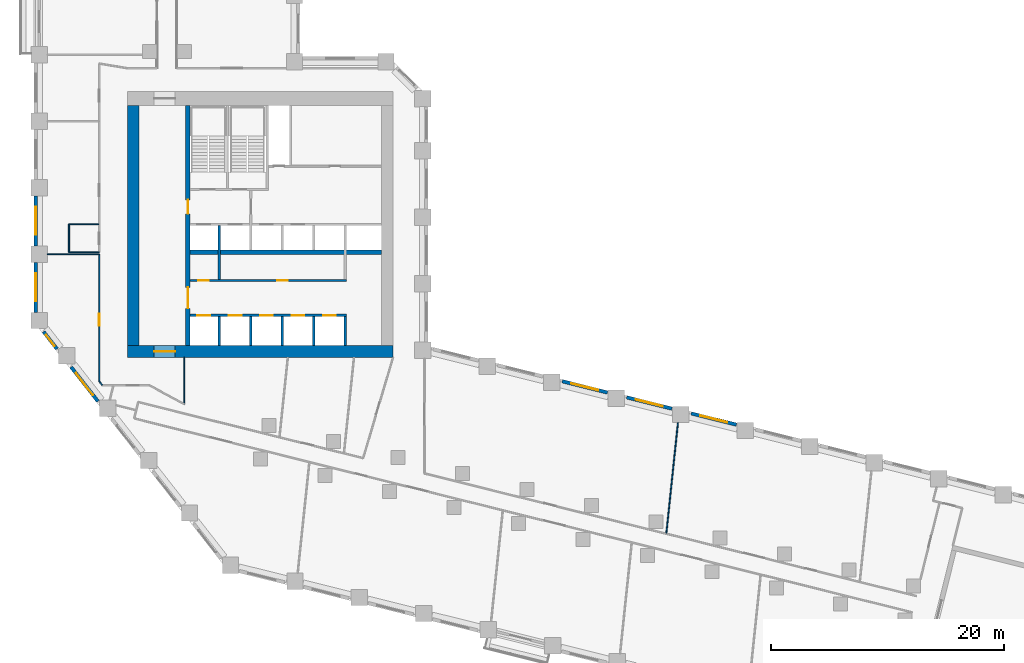
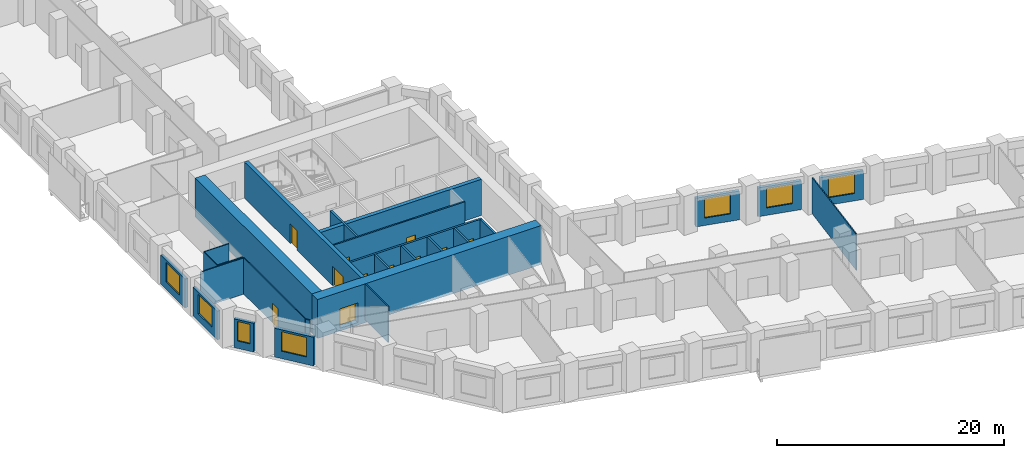
# One storey, part 4 of 11: 27 walls, 11 doors, 7 windows, 18 openings.
"""IFC4 building model written with IfcOpenShell, lengths in metres."""

from ifc_helpers import new_model, si_unit, direction, frame, frame_2d, origin, place, context, subcontext, project, spatial, rectangle, extrude, material, layer, layer_set, type_object, element, fill, save


model = new_model("IFC4")

# Units and contexts
model_context = context("Model", 3, precision=1e-05, world=origin(), true_north=direction((0.0, 1.0)))
body_context = subcontext(model_context, "Body", "Model", "MODEL_VIEW")
ifc_project = project(units=[si_unit("LENGTHUNIT", "METRE"), si_unit("AREAUNIT", "SQUARE_METRE"), si_unit("VOLUMEUNIT", "CUBIC_METRE"), si_unit("PLANEANGLEUNIT", "RADIAN"), si_unit("MASSUNIT", "GRAM", prefix="KILO")], contexts=[model_context])

# Site, building, storey
site_placement = place(None, origin())
site = spatial("IfcSite", under=ifc_project, at=site_placement, CompositionType="ELEMENT")
building_placement = place(site_placement, origin())
building = spatial("IfcBuilding", under=site, at=building_placement, Name="Meshkara Civic Tower", CompositionType="ELEMENT")
storey_placement = place(building_placement, frame((0.0, 0.0, 54.0)))
storey = spatial("IfcBuildingStorey", under=building, at=storey_placement, Name="L11", CompositionType="ELEMENT", Elevation=54.0)

# Wall, openings, doors
ifc_material_1 = material(Name="Blockwork", Category="masonry")
ifc_layer_1 = layer(ifc_material_1, 0.14990234375)
ifc_layer_set_1 = layer_set([ifc_layer_1], Name="Core partition 150")
wall_type_1 = type_object("IfcWallType", Name="Core partition 150", PredefinedType="PARTITIONING", material=ifc_layer_set_1)
wall_1_placement = place(storey_placement, frame((13.39990234375, 20.699951171875, 0.0), z_axis=(0.0, 0.0, 1.0), x_axis=(1.0, 0.0, 0.0)))
wall_1 = element("IfcWall", 1, at=wall_1_placement, inside=storey, type_object=wall_type_1, Name="L11-C006", PredefinedType="PARTITIONING", context=body_context, shape_type="SweptSolid", body=[
    extrude(rectangle(XDim=13.400146484375, YDim=0.14990234375, at=frame_2d((6.7001953125, 0.0))), origin(), (0.0, 0.0, 1.0), 3.89990234375),
])
opening_1_placement = place(wall_1_placement, frame((0.699951171875, 0.0, 0.0)))
opening_1 = element("IfcOpeningElement", 2, at=opening_1_placement, cuts=wall_1, Name="Opening L11-K010", PredefinedType="OPENING", context=body_context, shape_type="SweptSolid", body=[
    extrude(rectangle(XDim=0.89990234375, YDim=2.10009765625, at=frame_2d((0.449951171875, 1.050048828125))), frame((0.0, 0.0849609375, 0.0), z_axis=(0.0, -1.0, 0.0), x_axis=(1.0, 0.0, 0.0)), (0.0, 0.0, 1.0), 0.169921875),
])
opening_2_placement = place(wall_1_placement, frame((7.449951171875, 0.0, 0.0)))
opening_2 = element("IfcOpeningElement", 3, at=opening_2_placement, cuts=wall_1, Name="Opening L11-K011", PredefinedType="OPENING", context=body_context, shape_type="SweptSolid", body=[
    extrude(rectangle(XDim=0.89990234375, YDim=2.10009765625, at=frame_2d((0.449951171875, 1.050048828125))), frame((0.0, 0.0849609375, 0.0), z_axis=(0.0, -1.0, 0.0), x_axis=(1.0, 0.0, 0.0)), (0.0, 0.0, 1.0), 0.169921875),
])
ifc_material_2 = material(Name="Timber door leaf in steel frame", Category="steel")
door_type_1 = type_object("IfcDoorType", Name="Core room door 900", OperationType="SINGLE_SWING_LEFT", PredefinedType="DOOR", material=ifc_material_2)
door_1_placement = place(opening_1_placement, origin())
door_1 = element("IfcDoor", 4, at=door_1_placement, inside=storey, type_object=door_type_1, Name="L11-K010", OperationType="SINGLE_SWING_RIGHT", OverallHeight=2.10009765625, OverallWidth=0.89990234375, PredefinedType="DOOR", context=body_context, shape_type="SweptSolid", body=[
    extrude(rectangle(XDim=0.89990234375, YDim=2.10009765625, at=frame_2d((0.449951171875, 1.050048828125))), frame((0.0, 0.02490234375, 0.0), z_axis=(0.0, -1.0, 0.0), x_axis=(1.0, 0.0, 0.0)), (0.0, 0.0, 1.0), 0.050048828125),
])
fill(opening_1, door_1)
door_2_placement = place(opening_2_placement, origin())
door_2 = element("IfcDoor", 5, at=door_2_placement, inside=storey, type_object=door_type_1, Name="L11-K011", OperationType="SINGLE_SWING_LEFT", OverallHeight=2.10009765625, OverallWidth=0.89990234375, PredefinedType="DOOR", context=body_context, shape_type="SweptSolid", body=[
    extrude(rectangle(XDim=0.89990234375, YDim=2.10009765625, at=frame_2d((0.449951171875, 1.050048828125))), frame((0.0, 0.02490234375, 0.0), z_axis=(0.0, -1.0, 0.0), x_axis=(1.0, 0.0, 0.0)), (0.0, 0.0, 1.0), 0.050048828125),
])
fill(opening_2, door_2)

# Wall, opening, door
ifc_material_3 = material(Name="Concrete C80", Category="concrete")
ifc_layer_2 = layer(ifc_material_3, 1.0)
ifc_layer_set_2 = layer_set([ifc_layer_2], Name="Core ring wall 1000 C80")
wall_type_2 = type_object("IfcWallType", Name="Core ring wall 1000 C80", PredefinedType="SHEAR", material=ifc_layer_set_2)
wall_2_placement = place(storey_placement, frame((8.0, 14.60009765625, -0.300048828125), z_axis=(0.0, 0.0, 1.0), x_axis=(1.0, 0.0, 0.0)))
wall_2 = element("IfcWall", 6, at=wall_2_placement, inside=storey, type_object=wall_type_2, Name="L11-C001", PredefinedType="SHEAR", context=body_context, shape_type="SweptSolid", body=[
    extrude(rectangle(XDim=22.800048828125, YDim=1.0, at=frame_2d((11.39990234375, 0.0))), origin(), (0.0, 0.0, 1.0), 4.199951171875),
])
opening_3_placement = place(wall_2_placement, frame((2.300048828125, 0.0, 0.300048828125)))
opening_3 = element("IfcOpeningElement", 7, at=opening_3_placement, cuts=wall_2, Name="Opening L11-K020", PredefinedType="OPENING", context=body_context, shape_type="SweptSolid", body=[
    extrude(rectangle(XDim=1.800048828125, YDim=2.10009765625, at=frame_2d((0.89990234375, 1.050048828125))), frame((0.0, 0.510009765625, 0.0), z_axis=(0.0, -1.0, 0.0), x_axis=(1.0, 0.0, 0.0)), (0.0, 0.0, 1.0), 1.02001953125),
])
ifc_material_4 = material(Name="Fire-rated door leaf in steel frame", Category="steel")
door_type_2 = type_object("IfcDoorType", Name="Core double door 1800 EI 60", OperationType="DOUBLE_DOOR_SINGLE_SWING", PredefinedType="DOOR", material=ifc_material_4)
door_3_placement = place(opening_3_placement, origin())
door_3 = element("IfcDoor", 8, at=door_3_placement, inside=storey, type_object=door_type_2, Name="L11-K020", OperationType="DOUBLE_DOOR_SINGLE_SWING", OverallHeight=2.10009765625, OverallWidth=1.800048828125, PredefinedType="DOOR", context=body_context, shape_type="SweptSolid", body=[
    extrude(rectangle(XDim=1.800048828125, YDim=2.10009765625, at=frame_2d((0.89990234375, 1.050048828125))), frame((0.0, 0.02490234375, 0.0), z_axis=(0.0, -1.0, 0.0), x_axis=(1.0, 0.0, 0.0)), (0.0, 0.0, 1.0), 0.050048828125),
])
fill(opening_3, door_3)

# Walls
wall_3_placement = place(storey_placement, frame((8.5, 15.10009765625, -0.300048828125), z_axis=(0.0, 0.0, 1.0), x_axis=(0.0, 1.0, 0.0)))
element("IfcWall", 9, at=wall_3_placement, inside=storey, type_object=wall_type_2, Name="L11-C003", PredefinedType="SHEAR", context=body_context, shape_type="SweptSolid", body=[
    extrude(rectangle(XDim=20.599853515625, YDim=1.0, at=frame_2d((10.2998046875, 0.0))), origin(), (0.0, 0.0, 1.0), 4.199951171875),
])
ifc_material_5 = material(Name="Concrete C80", Category="concrete")
ifc_layer_3 = layer(ifc_material_5, 0.39990234375)
ifc_layer_set_3 = layer_set([ifc_layer_3], Name="Core shear wall 400 C80")
wall_type_3 = type_object("IfcWallType", Name="Core shear wall 400 C80", PredefinedType="SHEAR", material=ifc_layer_set_3)
wall_4_placement = place(storey_placement, frame((13.39990234375, 23.10009765625, 0.0), z_axis=(0.0, 0.0, 1.0), x_axis=(1.0, 0.0, 0.0)))
element("IfcWall", 10, at=wall_4_placement, inside=storey, type_object=wall_type_3, Name="L11-C007", PredefinedType="SHEAR", context=body_context, shape_type="SweptSolid", body=[
    extrude(rectangle(XDim=16.400146484375, YDim=0.39990234375, at=frame_2d((8.2001953125, 0.0))), origin(), (0.0, 0.0, 1.0), 3.89990234375),
])

# Wall, openings, doors
wall_5_placement = place(storey_placement, frame((13.199951171875, 15.10009765625, 0.0), z_axis=(0.0, 0.0, 1.0), x_axis=(0.0, 1.0, 0.0)))
wall_5 = element("IfcWall", 11, at=wall_5_placement, inside=storey, type_object=wall_type_3, Name="L11-C011", PredefinedType="SHEAR", context=body_context, shape_type="SweptSolid", body=[
    extrude(rectangle(XDim=20.599853515625, YDim=0.39990234375, at=frame_2d((10.2998046875, 0.0))), origin(), (0.0, 0.0, 1.0), 3.89990234375),
])
opening_4_placement = place(wall_5_placement, frame((3.199951171875, 0.0, 0.0)))
opening_4 = element("IfcOpeningElement", 12, at=opening_4_placement, cuts=wall_5, Name="Opening L11-K016", PredefinedType="OPENING", context=body_context, shape_type="SweptSolid", body=[
    extrude(rectangle(XDim=1.800048828125, YDim=2.10009765625, at=frame_2d((0.89990234375, 1.050048828125))), frame((0.0, 0.2099609375, 0.0), z_axis=(0.0, -1.0, 0.0), x_axis=(1.0, 0.0, 0.0)), (0.0, 0.0, 1.0), 0.419921875),
])
opening_5_placement = place(wall_5_placement, frame((11.300048828125, 0.0, 0.0)))
opening_5 = element("IfcOpeningElement", 13, at=opening_5_placement, cuts=wall_5, Name="Opening L11-K017", PredefinedType="OPENING", context=body_context, shape_type="SweptSolid", body=[
    extrude(rectangle(XDim=1.199951171875, YDim=2.10009765625, at=frame_2d((0.60009765625, 1.050048828125))), frame((0.0, 0.2099609375, 0.0), z_axis=(0.0, -1.0, 0.0), x_axis=(1.0, 0.0, 0.0)), (0.0, 0.0, 1.0), 0.419921875),
])
door_4_placement = place(opening_4_placement, origin())
door_4 = element("IfcDoor", 14, at=door_4_placement, inside=storey, type_object=door_type_2, Name="L11-K016", OperationType="DOUBLE_DOOR_SINGLE_SWING", OverallHeight=2.10009765625, OverallWidth=1.800048828125, PredefinedType="DOOR", context=body_context, shape_type="SweptSolid", body=[
    extrude(rectangle(XDim=1.800048828125, YDim=2.10009765625, at=frame_2d((0.89990234375, 1.050048828125))), frame((0.0, 0.02490234375, 0.0), z_axis=(0.0, -1.0, 0.0), x_axis=(1.0, 0.0, 0.0)), (0.0, 0.0, 1.0), 0.050048828125),
])
fill(opening_4, door_4)
ifc_material_6 = material(Name="Fire-rated door leaf in steel frame", Category="steel")
door_type_3 = type_object("IfcDoorType", Name="Fire-fighting lobby door 1200 EI 120", OperationType="SINGLE_SWING_LEFT", PredefinedType="DOOR", material=ifc_material_6)
door_5_placement = place(opening_5_placement, origin())
door_5 = element("IfcDoor", 15, at=door_5_placement, inside=storey, type_object=door_type_3, Name="L11-K017", OperationType="SINGLE_SWING_LEFT", OverallHeight=2.10009765625, OverallWidth=1.199951171875, PredefinedType="DOOR", context=body_context, shape_type="SweptSolid", body=[
    extrude(rectangle(XDim=1.199951171875, YDim=2.10009765625, at=frame_2d((0.60009765625, 1.050048828125))), frame((0.0, 0.02490234375, 0.0), z_axis=(0.0, -1.0, 0.0), x_axis=(1.0, 0.0, 0.0)), (0.0, 0.0, 1.0), 0.050048828125),
])
fill(opening_5, door_5)

# Wall
ifc_material_7 = material(Name="Corridor wall 100")
ifc_layer_4 = layer(ifc_material_7, 0.10009765625)
ifc_layer_set_4 = layer_set([ifc_layer_4], Name="Corridor wall 100")
wall_type_4 = type_object("IfcWallType", Name="Corridor wall 100", PredefinedType="PARTITIONING", material=ifc_layer_set_4)
wall_6_placement = place(storey_placement, frame((5.60009765625, 12.04296875, 0.0), z_axis=(0.0, 0.0, 1.0), x_axis=(0.615415398102, -0.788202948344, 0.0)))
element("IfcWall", 16, at=wall_6_placement, inside=storey, type_object=wall_type_4, Name="L11-W003", PredefinedType="PARTITIONING", context=body_context, shape_type="SweptSolid", body=[
    extrude(rectangle(XDim=0.435302734375, YDim=0.10009765625, at=frame_2d((0.2177734375, 0.0))), origin(), (0.0, 0.0, 1.0), 3.89990234375),
])

# Wall, opening, door
wall_7_placement = place(storey_placement, frame((5.60009765625, 22.955078125, 0.0), z_axis=(0.0, 0.0, 1.0), x_axis=(0.0, -1.0, 0.0)))
wall_7 = element("IfcWall", 17, at=wall_7_placement, inside=storey, type_object=wall_type_4, Name="L11-W004", PredefinedType="PARTITIONING", context=body_context, shape_type="SweptSolid", body=[
    extrude(rectangle(XDim=10.912109375, YDim=0.10009765625, at=frame_2d((5.4560546875, 0.0))), origin(), (0.0, 0.0, 1.0), 3.89990234375),
])
opening_6_placement = place(wall_7_placement, frame((5.132080078125, 0.0, 0.0)))
opening_6 = element("IfcOpeningElement", 18, at=opening_6_placement, cuts=wall_7, Name="Opening L11-D017", PredefinedType="OPENING", context=body_context, shape_type="SweptSolid", body=[
    extrude(rectangle(XDim=1.0, YDim=2.10009765625, at=frame_2d((0.5, 1.050048828125))), frame((0.0, 0.06005859375, 0.0), z_axis=(0.0, -1.0, 0.0), x_axis=(1.0, 0.0, 0.0)), (0.0, 0.0, 1.0), 0.1201171875),
])
ifc_material_8 = material(Name="Door 1000 x 2100")
door_type_4 = type_object("IfcDoorType", Name="Door 1000 x 2100", OperationType="SINGLE_SWING_LEFT", PredefinedType="DOOR", material=ifc_material_8)
door_6_placement = place(opening_6_placement, origin())
door_6 = element("IfcDoor", 19, at=door_6_placement, inside=storey, type_object=door_type_4, Name="L11-D017", OperationType="SINGLE_SWING_LEFT", OverallHeight=2.10009765625, OverallWidth=1.0, PredefinedType="DOOR", context=body_context, shape_type="SweptSolid", body=[
    extrude(rectangle(XDim=1.0, YDim=2.10009765625, at=frame_2d((0.5, 1.050048828125))), frame((0.0, 0.02490234375, 0.0), z_axis=(0.0, -1.0, 0.0), x_axis=(1.0, 0.0, 0.0)), (0.0, 0.0, 1.0), 0.050048828125),
])
fill(opening_6, door_6)

# Wall
wall_8_placement = place(storey_placement, frame((12.89990234375, 10.077880859375, 0.0), z_axis=(0.0, 0.0, 1.0), x_axis=(0.0, 1.0, 0.0)))
element("IfcWall", 20, at=wall_8_placement, inside=storey, type_object=wall_type_4, Name="L11-W016", PredefinedType="PARTITIONING", context=body_context, shape_type="SweptSolid", body=[
    extrude(rectangle(XDim=4.022216796875, YDim=0.10009765625, at=frame_2d((2.01123046875, 0.0))), origin(), (0.0, 0.0, 1.0), 3.89990234375),
])

# Wall, opening, window
ifc_material_9 = material(Name="Insulated infill panel with bronze anodised aluminium cladding", Category="aluminium")
ifc_layer_5 = layer(ifc_material_9, 0.300048828125)
ifc_layer_set_5 = layer_set([ifc_layer_5], Name="EXTERNAL INFILL WALL 300")
wall_type_5 = type_object("IfcWallType", Name="EXTERNAL INFILL WALL 300", PredefinedType="SOLIDWALL", material=ifc_layer_set_5)
wall_9_placement = place(storey_placement, frame((60.251953125, 8.321044921875, 0.0), z_axis=(0.0, 0.0, 1.0), x_axis=(-0.970303772127, 0.241889623168, 0.0)))
wall_9 = element("IfcWall", 21, at=wall_9_placement, inside=storey, type_object=wall_type_5, Name="External wall", PredefinedType="SOLIDWALL", context=body_context, shape_type="SweptSolid", body=[
    extrude(rectangle(XDim=4.001953125, YDim=0.300048828125, at=frame_2d((2.0009765625, 0.0))), origin(), (0.0, 0.0, 1.0), 3.10009765625),
])
opening_7_placement = place(wall_9_placement, frame((0.801025390625, 0.0, 0.800048828125)))
opening_7 = element("IfcOpeningElement", 22, at=opening_7_placement, cuts=wall_9, Name="Opening W7", PredefinedType="OPENING", context=body_context, shape_type="SweptSolid", body=[
    extrude(rectangle(XDim=2.39990234375, YDim=2.10009765625, at=frame_2d((1.199951171875, 1.050048828125))), frame((0.0, 0.159912109375, 0.0), z_axis=(0.0, -1.0, 0.0), x_axis=(1.0, 0.0, 0.0)), (0.0, 0.0, 1.0), 0.320068359375),
])
ifc_material_10 = material(Name="Tinted double glazing", Category="glass")
window_type_1 = type_object("IfcWindowType", Name="WINDOW 2400x2100", PartitioningType="DOUBLE_PANEL_VERTICAL", PredefinedType="WINDOW", material=ifc_material_10)
window_1_placement = place(opening_7_placement, origin())
window_1 = element("IfcWindow", 23, at=window_1_placement, inside=storey, type_object=window_type_1, Name="Window", OverallHeight=2.10009765625, OverallWidth=2.39990234375, PartitioningType="DOUBLE_PANEL_VERTICAL", PredefinedType="WINDOW", context=body_context, shape_type="SweptSolid", body=[
    extrude(rectangle(XDim=2.39990234375, YDim=2.10009765625, at=frame_2d((1.199951171875, 1.050048828125))), frame((0.0, 0.030029296875, 0.0), z_axis=(0.0, -1.0, 0.0), x_axis=(1.0, 0.0, 0.0)), (0.0, 0.0, 1.0), 0.06005859375),
])
fill(opening_7, window_1)

wall_10_placement = place(storey_placement, frame((54.721923828125, 9.699951171875, 0.0), z_axis=(0.0, 0.0, 1.0), x_axis=(-0.970318045095, 0.24183236211, 0.0)))
wall_10 = element("IfcWall", 24, at=wall_10_placement, inside=storey, type_object=wall_type_5, Name="External wall", PredefinedType="SOLIDWALL", context=body_context, shape_type="SweptSolid", body=[
    extrude(rectangle(XDim=4.0029296875, YDim=0.300048828125, at=frame_2d((2.00146484375, 0.0))), origin(), (0.0, 0.0, 1.0), 3.10009765625),
])
opening_8_placement = place(wall_10_placement, frame((0.802001953125, 0.0, 0.800048828125)))
opening_8 = element("IfcOpeningElement", 25, at=opening_8_placement, cuts=wall_10, Name="Opening W7", PredefinedType="OPENING", context=body_context, shape_type="SweptSolid", body=[
    extrude(rectangle(XDim=2.39990234375, YDim=2.10009765625, at=frame_2d((1.199951171875, 1.050048828125))), frame((0.0, 0.159912109375, 0.0), z_axis=(0.0, -1.0, 0.0), x_axis=(1.0, 0.0, 0.0)), (0.0, 0.0, 1.0), 0.320068359375),
])
window_2_placement = place(opening_8_placement, origin())
window_2 = element("IfcWindow", 26, at=window_2_placement, inside=storey, type_object=window_type_1, Name="Window", OverallHeight=2.10009765625, OverallWidth=2.39990234375, PartitioningType="DOUBLE_PANEL_VERTICAL", PredefinedType="WINDOW", context=body_context, shape_type="SweptSolid", body=[
    extrude(rectangle(XDim=2.39990234375, YDim=2.10009765625, at=frame_2d((1.199951171875, 1.050048828125))), frame((0.0, 0.030029296875, 0.0), z_axis=(0.0, -1.0, 0.0), x_axis=(1.0, 0.0, 0.0)), (0.0, 0.0, 1.0), 0.06005859375),
])
fill(opening_8, window_2)

wall_11_placement = place(storey_placement, frame((49.19091796875, 11.0791015625, 0.0), z_axis=(0.0, 0.0, 1.0), x_axis=(-0.970318045095, 0.24183236211, 0.0)))
wall_11 = element("IfcWall", 27, at=wall_11_placement, inside=storey, type_object=wall_type_5, Name="External wall", PredefinedType="SOLIDWALL", context=body_context, shape_type="SweptSolid", body=[
    extrude(rectangle(XDim=4.0029296875, YDim=0.300048828125, at=frame_2d((2.00146484375, 0.0))), origin(), (0.0, 0.0, 1.0), 3.10009765625),
])
opening_9_placement = place(wall_11_placement, frame((0.802001953125, 0.0, 0.800048828125)))
opening_9 = element("IfcOpeningElement", 28, at=opening_9_placement, cuts=wall_11, Name="Opening W7", PredefinedType="OPENING", context=body_context, shape_type="SweptSolid", body=[
    extrude(rectangle(XDim=2.39990234375, YDim=2.10009765625, at=frame_2d((1.199951171875, 1.050048828125))), frame((0.0, 0.159912109375, 0.0), z_axis=(0.0, -1.0, 0.0), x_axis=(1.0, 0.0, 0.0)), (0.0, 0.0, 1.0), 0.320068359375),
])
window_3_placement = place(opening_9_placement, origin())
window_3 = element("IfcWindow", 29, at=window_3_placement, inside=storey, type_object=window_type_1, Name="Window", OverallHeight=2.10009765625, OverallWidth=2.39990234375, PartitioningType="DOUBLE_PANEL_VERTICAL", PredefinedType="WINDOW", context=body_context, shape_type="SweptSolid", body=[
    extrude(rectangle(XDim=2.39990234375, YDim=2.10009765625, at=frame_2d((1.199951171875, 1.050048828125))), frame((0.0, 0.030029296875, 0.0), z_axis=(0.0, -1.0, 0.0), x_axis=(1.0, 0.0, 0.0)), (0.0, 0.0, 1.0), 0.06005859375),
])
fill(opening_9, window_3)

wall_12_placement = place(storey_placement, frame((0.14990234375, 27.955078125, 0.0), z_axis=(0.0, 0.0, 1.0), x_axis=(0.0, -1.0, 0.0)))
wall_12 = element("IfcWall", 30, at=wall_12_placement, inside=storey, type_object=wall_type_5, Name="External wall", PredefinedType="SOLIDWALL", context=body_context, shape_type="SweptSolid", body=[
    extrude(rectangle(XDim=4.300048828125, YDim=0.300048828125, at=frame_2d((2.14990234375, 0.0))), origin(), (0.0, 0.0, 1.0), 3.10009765625),
])
opening_10_placement = place(wall_12_placement, frame((0.949951171875, 0.0, 0.800048828125)))
opening_10 = element("IfcOpeningElement", 31, at=opening_10_placement, cuts=wall_12, Name="Opening W7", PredefinedType="OPENING", context=body_context, shape_type="SweptSolid", body=[
    extrude(rectangle(XDim=2.39990234375, YDim=2.10009765625, at=frame_2d((1.199951171875, 1.050048828125))), frame((0.0, 0.159912109375, 0.0), z_axis=(0.0, -1.0, 0.0), x_axis=(1.0, 0.0, 0.0)), (0.0, 0.0, 1.0), 0.320068359375),
])
window_4_placement = place(opening_10_placement, origin())
window_4 = element("IfcWindow", 32, at=window_4_placement, inside=storey, type_object=window_type_1, Name="Window", OverallHeight=2.10009765625, OverallWidth=2.39990234375, PartitioningType="DOUBLE_PANEL_VERTICAL", PredefinedType="WINDOW", context=body_context, shape_type="SweptSolid", body=[
    extrude(rectangle(XDim=2.39990234375, YDim=2.10009765625, at=frame_2d((1.199951171875, 1.050048828125))), frame((0.0, 0.030029296875, 0.0), z_axis=(0.0, -1.0, 0.0), x_axis=(1.0, 0.0, 0.0)), (0.0, 0.0, 1.0), 0.06005859375),
])
fill(opening_10, window_4)

wall_13_placement = place(storey_placement, frame((0.14990234375, 22.2548828125, 0.0), z_axis=(0.0, 0.0, 1.0), x_axis=(0.0, -1.0, 0.0)))
wall_13 = element("IfcWall", 33, at=wall_13_placement, inside=storey, type_object=wall_type_5, Name="External wall", PredefinedType="SOLIDWALL", context=body_context, shape_type="SweptSolid", body=[
    extrude(rectangle(XDim=4.2998046875, YDim=0.300048828125, at=frame_2d((2.14990234375, 0.0))), origin(), (0.0, 0.0, 1.0), 3.10009765625),
])
opening_11_placement = place(wall_13_placement, frame((0.949951171875, 0.0, 0.800048828125)))
opening_11 = element("IfcOpeningElement", 34, at=opening_11_placement, cuts=wall_13, Name="Opening W7", PredefinedType="OPENING", context=body_context, shape_type="SweptSolid", body=[
    extrude(rectangle(XDim=2.39990234375, YDim=2.10009765625, at=frame_2d((1.199951171875, 1.050048828125))), frame((0.0, 0.159912109375, 0.0), z_axis=(0.0, -1.0, 0.0), x_axis=(1.0, 0.0, 0.0)), (0.0, 0.0, 1.0), 0.320068359375),
])
window_5_placement = place(opening_11_placement, origin())
window_5 = element("IfcWindow", 35, at=window_5_placement, inside=storey, type_object=window_type_1, Name="Window", OverallHeight=2.10009765625, OverallWidth=2.39990234375, PartitioningType="DOUBLE_PANEL_VERTICAL", PredefinedType="WINDOW", context=body_context, shape_type="SweptSolid", body=[
    extrude(rectangle(XDim=2.39990234375, YDim=2.10009765625, at=frame_2d((1.199951171875, 1.050048828125))), frame((0.0, 0.030029296875, 0.0), z_axis=(0.0, -1.0, 0.0), x_axis=(1.0, 0.0, 0.0)), (0.0, 0.0, 1.0), 0.06005859375),
])
fill(opening_11, window_5)

wall_14_placement = place(storey_placement, frame((0.818115234375, 16.2958984375, 0.0), z_axis=(0.0, 0.0, 1.0), x_axis=(0.615985155343, -0.787757759973, 0.0)))
wall_14 = element("IfcWall", 36, at=wall_14_placement, inside=storey, type_object=wall_type_5, Name="External wall", PredefinedType="SOLIDWALL", context=body_context, shape_type="SweptSolid", body=[
    extrude(rectangle(XDim=1.874755859375, YDim=0.300048828125, at=frame_2d((0.9375, 0.0))), origin(), (0.0, 0.0, 1.0), 3.10009765625),
])
opening_12_placement = place(wall_14_placement, frame((0.3369140625, 0.0, 0.800048828125)))
opening_12 = element("IfcOpeningElement", 37, at=opening_12_placement, cuts=wall_14, Name="Opening W3", PredefinedType="OPENING", context=body_context, shape_type="SweptSolid", body=[
    extrude(rectangle(XDim=1.199951171875, YDim=2.10009765625, at=frame_2d((0.60009765625, 1.050048828125))), frame((0.0, 0.159912109375, 0.0), z_axis=(0.0, -1.0, 0.0), x_axis=(1.0, 0.0, 0.0)), (0.0, 0.0, 1.0), 0.320068359375),
])
ifc_material_11 = material(Name="Tinted double glazing", Category="glass")
window_type_2 = type_object("IfcWindowType", Name="WINDOW 1200x2100", PartitioningType="SINGLE_PANEL", PredefinedType="WINDOW", material=ifc_material_11)
window_6_placement = place(opening_12_placement, origin())
window_6 = element("IfcWindow", 38, at=window_6_placement, inside=storey, type_object=window_type_2, Name="Window", OverallHeight=2.10009765625, OverallWidth=1.199951171875, PartitioningType="SINGLE_PANEL", PredefinedType="WINDOW", context=body_context, shape_type="SweptSolid", body=[
    extrude(rectangle(XDim=1.199951171875, YDim=2.10009765625, at=frame_2d((0.60009765625, 1.050048828125))), frame((0.0, 0.030029296875, 0.0), z_axis=(0.0, -1.0, 0.0), x_axis=(1.0, 0.0, 0.0)), (0.0, 0.0, 1.0), 0.06005859375),
])
fill(opening_12, window_6)

wall_15_placement = place(storey_placement, frame((3.18310546875, 13.27001953125, 0.0), z_axis=(0.0, 0.0, 1.0), x_axis=(0.615564114897, -0.788086810225, 0.0)))
wall_15 = element("IfcWall", 39, at=wall_15_placement, inside=storey, type_object=wall_type_5, Name="External wall", PredefinedType="SOLIDWALL", context=body_context, shape_type="SweptSolid", body=[
    extrude(rectangle(XDim=3.734619140625, YDim=0.300048828125, at=frame_2d((1.8671875, 0.0))), origin(), (0.0, 0.0, 1.0), 3.10009765625),
])
opening_13_placement = place(wall_15_placement, frame((0.6669921875, 0.0, 0.800048828125)))
opening_13 = element("IfcOpeningElement", 40, at=opening_13_placement, cuts=wall_15, Name="Opening W7", PredefinedType="OPENING", context=body_context, shape_type="SweptSolid", body=[
    extrude(rectangle(XDim=2.39990234375, YDim=2.10009765625, at=frame_2d((1.199951171875, 1.050048828125))), frame((0.0, 0.159912109375, 0.0), z_axis=(0.0, -1.0, 0.0), x_axis=(1.0, 0.0, 0.0)), (0.0, 0.0, 1.0), 0.320068359375),
])
window_7_placement = place(opening_13_placement, origin())
window_7 = element("IfcWindow", 41, at=window_7_placement, inside=storey, type_object=window_type_1, Name="Window", OverallHeight=2.10009765625, OverallWidth=2.39990234375, PartitioningType="DOUBLE_PANEL_VERTICAL", PredefinedType="WINDOW", context=body_context, shape_type="SweptSolid", body=[
    extrude(rectangle(XDim=2.39990234375, YDim=2.10009765625, at=frame_2d((1.199951171875, 1.050048828125))), frame((0.0, 0.030029296875, 0.0), z_axis=(0.0, -1.0, 0.0), x_axis=(1.0, 0.0, 0.0)), (0.0, 0.0, 1.0), 0.06005859375),
])
fill(opening_13, window_7)

# Walls
ifc_material_12 = material(Name="Partition 100")
ifc_layer_6 = layer(ifc_material_12, 0.10009765625)
ifc_layer_set_6 = layer_set([ifc_layer_6], Name="Partition 100")
wall_type_6 = type_object("IfcWallType", Name="Partition 100", PredefinedType="PARTITIONING", material=ifc_layer_set_6)
wall_16_placement = place(storey_placement, frame((3.0, 23.10498046875, 0.0), z_axis=(0.0, 0.0, 1.0), x_axis=(0.0, 1.0, 0.0)))
element("IfcWall", 42, at=wall_16_placement, inside=storey, type_object=wall_type_6, Name="L11-W033", PredefinedType="PARTITIONING", context=body_context, shape_type="SweptSolid", body=[
    extrude(rectangle(XDim=2.39990234375, YDim=0.10009765625, at=frame_2d((1.199951171875, 0.0))), origin(), (0.0, 0.0, 1.0), 3.89990234375),
])
wall_17_placement = place(storey_placement, frame((3.0, 25.5048828125, 0.0), z_axis=(0.0, 0.0, 1.0), x_axis=(1.0, 0.0, 0.0)))
element("IfcWall", 43, at=wall_17_placement, inside=storey, type_object=wall_type_6, Name="L11-W034", PredefinedType="PARTITIONING", context=body_context, shape_type="SweptSolid", body=[
    extrude(rectangle(XDim=2.550048828125, YDim=0.10009765625, at=frame_2d((1.27490234375, 0.0))), origin(), (0.0, 0.0, 1.0), 3.89990234375),
])
wall_18_placement = place(storey_placement, frame((5.60009765625, 22.955078125, 0.0), z_axis=(0.0, 0.0, 1.0), x_axis=(-1.0, 0.0, 0.0)))
element("IfcWall", 44, at=wall_18_placement, inside=storey, type_object=wall_type_6, Name="L11-W036", PredefinedType="PARTITIONING", context=body_context, shape_type="SweptSolid", body=[
    extrude(rectangle(XDim=4.4501953125, YDim=0.10009765625, at=frame_2d((2.22509765625, 0.0))), origin(), (0.0, 0.0, 1.0), 3.89990234375),
])
wall_19_placement = place(storey_placement, frame((5.60009765625, 23.10498046875, 0.0), z_axis=(0.0, 0.0, 1.0), x_axis=(-1.0, 0.0, 0.0)))
element("IfcWall", 45, at=wall_19_placement, inside=storey, type_object=wall_type_6, Name="L11-W037", PredefinedType="PARTITIONING", context=body_context, shape_type="SweptSolid", body=[
    extrude(rectangle(XDim=2.60009765625, YDim=0.10009765625, at=frame_2d((1.300048828125, 0.0))), origin(), (0.0, 0.0, 1.0), 3.89990234375),
])
wall_20_placement = place(storey_placement, frame((54.242919921875, -0.971923828125, 0.0), z_axis=(0.0, 0.0, 1.0), x_axis=(0.104452670861, 0.994529858551, 0.0)))
element("IfcWall", 46, at=wall_20_placement, inside=storey, type_object=wall_type_6, Name="L11-W050", PredefinedType="PARTITIONING", context=body_context, shape_type="SweptSolid", body=[
    extrude(rectangle(XDim=9.52685546875, YDim=0.10009765625, at=frame_2d((4.763427734375, 0.0))), origin(), (0.0, 0.0, 1.0), 3.89990234375),
])

# Wall, openings, doors
ifc_material_13 = material(Name="Concrete C40/50", Category="concrete")
ifc_layer_7 = layer(ifc_material_13, 0.199951171875)
ifc_layer_set_7 = layer_set([ifc_layer_7], Name="Shaft wall 200 C40/50")
wall_type_7 = type_object("IfcWallType", Name="Shaft wall 200 C40/50", PredefinedType="SOLIDWALL", material=ifc_layer_set_7)
wall_21_placement = place(storey_placement, frame((13.39990234375, 17.699951171875, 0.0), z_axis=(0.0, 0.0, 1.0), x_axis=(1.0, 0.0, 0.0)))
wall_21 = element("IfcWall", 47, at=wall_21_placement, inside=storey, type_object=wall_type_7, Name="L11-C005", PredefinedType="SOLIDWALL", context=body_context, shape_type="SweptSolid", body=[
    extrude(rectangle(XDim=13.400146484375, YDim=0.199951171875, at=frame_2d((6.7001953125, 0.0))), origin(), (0.0, 0.0, 1.0), 3.89990234375),
])
opening_14_placement = place(wall_21_placement, frame((0.60009765625, 0.0, 0.0)))
opening_14 = element("IfcOpeningElement", 48, at=opening_14_placement, cuts=wall_21, Name="Opening L11-K001", PredefinedType="OPENING", context=body_context, shape_type="SweptSolid", body=[
    extrude(rectangle(XDim=1.10009765625, YDim=2.10009765625, at=frame_2d((0.550048828125, 1.050048828125))), frame((0.0, 0.10986328125, 0.0), z_axis=(0.0, -1.0, 0.0), x_axis=(1.0, 0.0, 0.0)), (0.0, 0.0, 1.0), 0.219970703125),
])
opening_15_placement = place(wall_21_placement, frame((3.300048828125, 0.0, 0.0)))
opening_15 = element("IfcOpeningElement", 49, at=opening_15_placement, cuts=wall_21, Name="Opening L11-K002", PredefinedType="OPENING", context=body_context, shape_type="SweptSolid", body=[
    extrude(rectangle(XDim=1.10009765625, YDim=2.10009765625, at=frame_2d((0.550048828125, 1.050048828125))), frame((0.0, 0.10986328125, 0.0), z_axis=(0.0, -1.0, 0.0), x_axis=(1.0, 0.0, 0.0)), (0.0, 0.0, 1.0), 0.219970703125),
])
opening_16_placement = place(wall_21_placement, frame((6.0, 0.0, 0.0)))
opening_16 = element("IfcOpeningElement", 50, at=opening_16_placement, cuts=wall_21, Name="Opening L11-K003", PredefinedType="OPENING", context=body_context, shape_type="SweptSolid", body=[
    extrude(rectangle(XDim=1.10009765625, YDim=2.10009765625, at=frame_2d((0.550048828125, 1.050048828125))), frame((0.0, 0.10986328125, 0.0), z_axis=(0.0, -1.0, 0.0), x_axis=(1.0, 0.0, 0.0)), (0.0, 0.0, 1.0), 0.219970703125),
])
opening_17_placement = place(wall_21_placement, frame((8.699951171875, 0.0, 0.0)))
opening_17 = element("IfcOpeningElement", 51, at=opening_17_placement, cuts=wall_21, Name="Opening L11-K004", PredefinedType="OPENING", context=body_context, shape_type="SweptSolid", body=[
    extrude(rectangle(XDim=1.10009765625, YDim=2.10009765625, at=frame_2d((0.550048828125, 1.050048828125))), frame((0.0, 0.10986328125, 0.0), z_axis=(0.0, -1.0, 0.0), x_axis=(1.0, 0.0, 0.0)), (0.0, 0.0, 1.0), 0.219970703125),
])
opening_18_placement = place(wall_21_placement, frame((11.39990234375, 0.0, 0.0)))
opening_18 = element("IfcOpeningElement", 52, at=opening_18_placement, cuts=wall_21, Name="Opening L11-K005", PredefinedType="OPENING", context=body_context, shape_type="SweptSolid", body=[
    extrude(rectangle(XDim=1.10009765625, YDim=2.10009765625, at=frame_2d((0.550048828125, 1.050048828125))), frame((0.0, 0.10986328125, 0.0), z_axis=(0.0, -1.0, 0.0), x_axis=(1.0, 0.0, 0.0)), (0.0, 0.0, 1.0), 0.219970703125),
])
ifc_material_14 = material(Name="Stainless steel landing door", Category="steel")
door_type_5 = type_object("IfcDoorType", Name="Lift landing door 1100", OperationType="SLIDING_TO_LEFT", PredefinedType="DOOR", material=ifc_material_14)
door_7_placement = place(opening_14_placement, origin())
door_7 = element("IfcDoor", 53, at=door_7_placement, inside=storey, type_object=door_type_5, Name="L11-K001", OperationType="SLIDING_TO_LEFT", OverallHeight=2.10009765625, OverallWidth=1.10009765625, PredefinedType="DOOR", context=body_context, shape_type="SweptSolid", body=[
    extrude(rectangle(XDim=1.10009765625, YDim=2.10009765625, at=frame_2d((0.550048828125, 1.050048828125))), frame((0.0, 0.02490234375, 0.0), z_axis=(0.0, -1.0, 0.0), x_axis=(1.0, 0.0, 0.0)), (0.0, 0.0, 1.0), 0.050048828125),
])
fill(opening_14, door_7)
door_8_placement = place(opening_15_placement, origin())
door_8 = element("IfcDoor", 54, at=door_8_placement, inside=storey, type_object=door_type_5, Name="L11-K002", OperationType="SLIDING_TO_LEFT", OverallHeight=2.10009765625, OverallWidth=1.10009765625, PredefinedType="DOOR", context=body_context, shape_type="SweptSolid", body=[
    extrude(rectangle(XDim=1.10009765625, YDim=2.10009765625, at=frame_2d((0.550048828125, 1.050048828125))), frame((0.0, 0.02490234375, 0.0), z_axis=(0.0, -1.0, 0.0), x_axis=(1.0, 0.0, 0.0)), (0.0, 0.0, 1.0), 0.050048828125),
])
fill(opening_15, door_8)
door_9_placement = place(opening_16_placement, origin())
door_9 = element("IfcDoor", 55, at=door_9_placement, inside=storey, type_object=door_type_5, Name="L11-K003", OperationType="SLIDING_TO_LEFT", OverallHeight=2.10009765625, OverallWidth=1.10009765625, PredefinedType="DOOR", context=body_context, shape_type="SweptSolid", body=[
    extrude(rectangle(XDim=1.10009765625, YDim=2.10009765625, at=frame_2d((0.550048828125, 1.050048828125))), frame((0.0, 0.02490234375, 0.0), z_axis=(0.0, -1.0, 0.0), x_axis=(1.0, 0.0, 0.0)), (0.0, 0.0, 1.0), 0.050048828125),
])
fill(opening_16, door_9)
door_10_placement = place(opening_17_placement, origin())
door_10 = element("IfcDoor", 56, at=door_10_placement, inside=storey, type_object=door_type_5, Name="L11-K004", OperationType="SLIDING_TO_LEFT", OverallHeight=2.10009765625, OverallWidth=1.10009765625, PredefinedType="DOOR", context=body_context, shape_type="SweptSolid", body=[
    extrude(rectangle(XDim=1.10009765625, YDim=2.10009765625, at=frame_2d((0.550048828125, 1.050048828125))), frame((0.0, 0.02490234375, 0.0), z_axis=(0.0, -1.0, 0.0), x_axis=(1.0, 0.0, 0.0)), (0.0, 0.0, 1.0), 0.050048828125),
])
fill(opening_17, door_10)
door_11_placement = place(opening_18_placement, origin())
door_11 = element("IfcDoor", 57, at=door_11_placement, inside=storey, type_object=door_type_5, Name="L11-K005", OperationType="SLIDING_TO_LEFT", OverallHeight=2.10009765625, OverallWidth=1.10009765625, PredefinedType="DOOR", context=body_context, shape_type="SweptSolid", body=[
    extrude(rectangle(XDim=1.10009765625, YDim=2.10009765625, at=frame_2d((0.550048828125, 1.050048828125))), frame((0.0, 0.02490234375, 0.0), z_axis=(0.0, -1.0, 0.0), x_axis=(1.0, 0.0, 0.0)), (0.0, 0.0, 1.0), 0.050048828125),
])
fill(opening_18, door_11)

# Walls
wall_22_placement = place(storey_placement, frame((15.89990234375, 15.10009765625, 0.0), z_axis=(0.0, 0.0, 1.0), x_axis=(0.0, 1.0, 0.0)))
element("IfcWall", 58, at=wall_22_placement, inside=storey, type_object=wall_type_7, Name="L11-C012", PredefinedType="SOLIDWALL", context=body_context, shape_type="SweptSolid", body=[
    extrude(rectangle(XDim=2.5, YDim=0.199951171875, at=frame_2d((1.25, 0.0))), origin(), (0.0, 0.0, 1.0), 3.89990234375),
])
wall_23_placement = place(storey_placement, frame((15.89990234375, 20.77490234375, 0.0), z_axis=(0.0, 0.0, 1.0), x_axis=(0.0, 1.0, 0.0)))
element("IfcWall", 59, at=wall_23_placement, inside=storey, type_object=wall_type_7, Name="L11-C013", PredefinedType="SOLIDWALL", context=body_context, shape_type="SweptSolid", body=[
    extrude(rectangle(XDim=4.625, YDim=0.199951171875, at=frame_2d((2.3125, 0.0))), origin(), (0.0, 0.0, 1.0), 3.89990234375),
])
for number, where, z_axis, x_axis, name in (
    (60, (18.60009765625, 15.10009765625, 0.0), (0.0, 0.0, 1.0), (0.0, 1.0, 0.0), "L11-C015"),
    (61, (21.300048828125, 15.10009765625, 0.0), (0.0, 0.0, 1.0), (0.0, 1.0, 0.0), "L11-C018"),
    (62, (24.0, 15.10009765625, 0.0), (0.0, 0.0, 1.0), (0.0, 1.0, 0.0), "L11-C021"),
    (63, (26.699951171875, 15.10009765625, 0.0), (0.0, 0.0, 1.0), (0.0, 1.0, 0.0), "L11-C023"),
):
    element("IfcWall", number, at=place(storey_placement, frame(where, z_axis=z_axis, x_axis=x_axis)), inside=storey, type_object=wall_type_7, Name=name, PredefinedType="SOLIDWALL", context=body_context, shape_type="SweptSolid", body=[
        extrude(rectangle(XDim=2.5, YDim=0.199951171875, at=frame_2d((1.25, 0.0))), origin(), (0.0, 0.0, 1.0), 3.89990234375),
    ])

save(model, "model.ifc")
